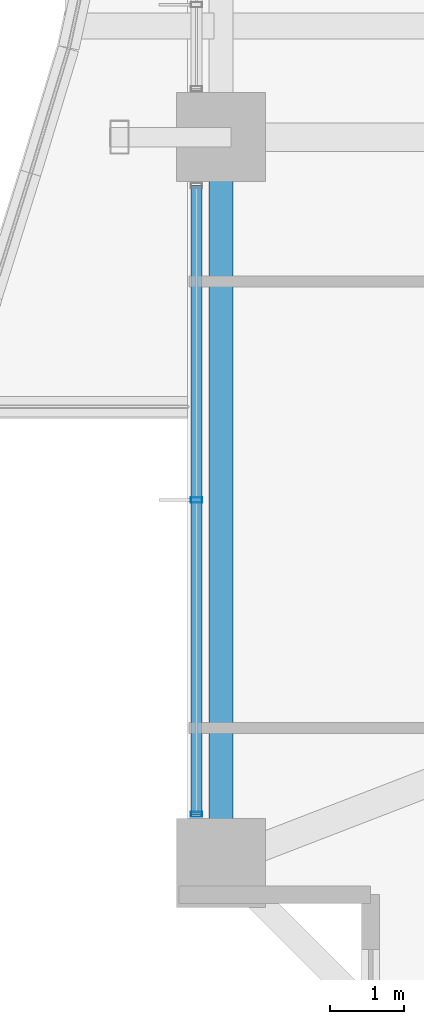
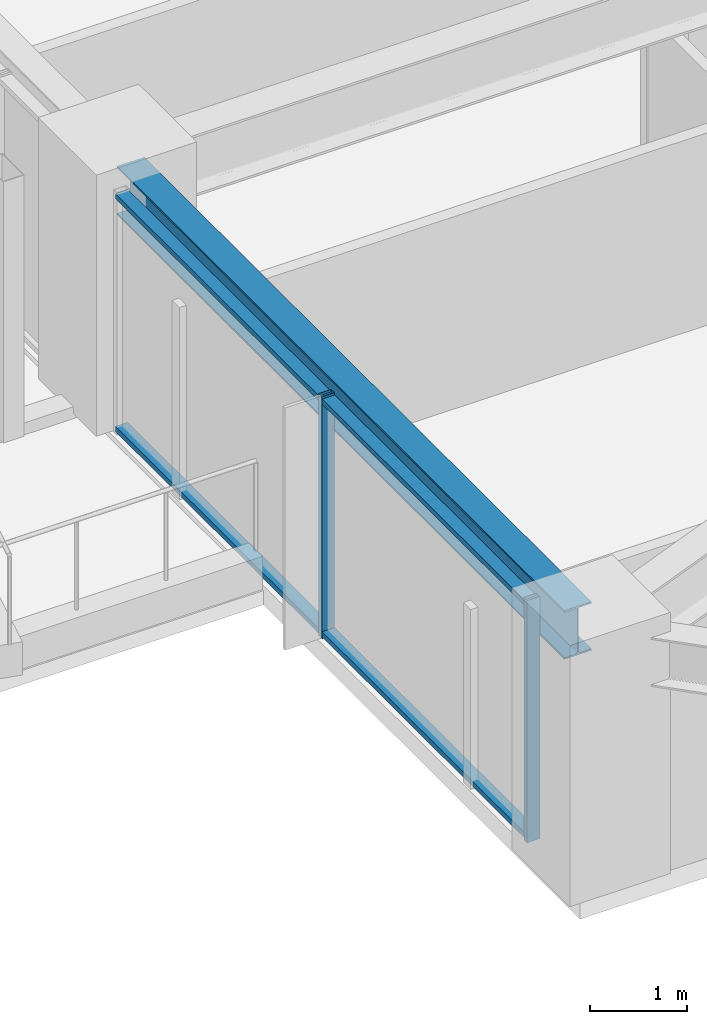
# One storey, part 3 of 36: 4 members, 1 beam, 1 element without a shape of its own.
"""IFC4 building model written with IfcOpenShell, lengths in metres."""

from ifc_helpers import new_model, si_unit, direction, frame, origin, origin_2d, place, context, subcontext, project, spatial, hollow_rectangle, i_section, extrude, material, material_profile, profile_set, type_object, element, aggregate, save


model = new_model("IFC4")

# Units and contexts
model_context = context("Model", 3, precision=1e-05, world=origin(), true_north=direction((0.0, 1.0)))
body_context = subcontext(model_context, "Body", "Model", "MODEL_VIEW")
ifc_project = project(units=[si_unit("LENGTHUNIT", "METRE"), si_unit("AREAUNIT", "SQUARE_METRE"), si_unit("VOLUMEUNIT", "CUBIC_METRE"), si_unit("PLANEANGLEUNIT", "RADIAN"), si_unit("MASSUNIT", "GRAM", prefix="KILO")], contexts=[model_context])

# Site, building, storey
site_placement = place(None, origin())
site = spatial("IfcSite", under=ifc_project, at=site_placement, CompositionType="ELEMENT")
building_placement = place(site_placement, origin())
building = spatial("IfcBuilding", under=site, at=building_placement, Name="Kolvaren Belvedere", CompositionType="ELEMENT")
storey_placement = place(building_placement, frame((0.0, 0.0, 46.89990234375)))
storey = spatial("IfcBuildingStorey", under=building, at=storey_placement, Name="L13", CompositionType="ELEMENT", Elevation=46.89990234375)

# Beam
ifc_material_1 = material(Name="Structural steel ASTM A992 Grade 50", Category="steel")
ifc_material_profile_1 = material_profile(ifc_material_1, i_section(OverallWidth=0.324951171875, OverallDepth=0.615966796875, WebThickness=0.013916015625, FlangeThickness=0.021484375, FilletRadius=0.02001953125, at=origin_2d()), Name="W24X117")
ifc_profile_set_1 = profile_set([ifc_material_profile_1], Name="Structural steel ASTM A992 Grade 50")
beam_type = type_object("IfcBeamType", Name="BM-SPAN-W24X117", PredefinedType="SPANDREL", material=ifc_profile_set_1)
beam_placement = place(storey_placement, frame((-21.550048828125, -4.8701171875, 2.752197265625), z_axis=(0.0, -1.0, 0.0), x_axis=(1.0, 0.0, 0.0)))
element("IfcBeam", 1, at=beam_placement, inside=storey, type_object=beam_type, Name="L13 Perimeter Spandrel W2-W1", PredefinedType="SPANDREL", context=body_context, shape_type="SweptSolid", body=[
    extrude(i_section(OverallWidth=0.324951171875, OverallDepth=0.615966796875, WebThickness=0.013916015625, FlangeThickness=0.021484375, FilletRadius=0.02001953125, at=origin_2d()), origin(), (0.0, 0.0, 1.0), 9.259765625),
])

# Curtain wall, members
ifc_material_2 = material(Name="Anodised pale-metal aluminium AA 6063-T6", Category="aluminium")
curtain_wall_type = type_object("IfcCurtainWallType", Name="CW-Z1-LOW", PredefinedType="NOTDEFINED", material=ifc_material_2)
curtain_wall_placement = place(storey_placement, origin())
curtain_wall = element("IfcCurtainWall", 2, at=curtain_wall_placement, inside=storey, type_object=curtain_wall_type, Name="L13 Unitised Curtain Wall FCW-L13-W1-B1", PredefinedType="NOTDEFINED")
ifc_material_3 = material(Name="Anodised pale-metal aluminium AA 6063-T6", Category="aluminium")
ifc_material_profile_2 = material_profile(ifc_material_3, hollow_rectangle(XDim=0.070068359375, YDim=0.14990234375, WallThickness=0.004150390625, at=origin_2d()), Name="ALU-MUL-150X70")
ifc_profile_set_2 = profile_set([ifc_material_profile_2], Name="Anodised pale-metal aluminium AA 6063-T6")
member_type_1 = type_object("IfcMemberType", Name="CW-MUL-150", PredefinedType="MULLION", material=ifc_profile_set_2)
member_1_placement = place(storey_placement, frame((-21.8798828125, -13.7451171875, 0.0), z_axis=(0.0, 0.0, 1.0), x_axis=(0.0, 1.0, 0.0)))
member_1 = element("IfcMember", 3, at=member_1_placement, type_object=member_type_1, Name="FCW-L13-W1-B1 Unitised Mullion 1", PredefinedType="MULLION", context=body_context, shape_type="SweptSolid", body=[
    extrude(hollow_rectangle(XDim=0.070068359375, YDim=0.14990234375, WallThickness=0.004150390625, at=origin_2d()), origin(), (0.0, 0.0, 1.0), 3.06005859375),
])
member_2_placement = place(storey_placement, frame((-21.8798828125, -9.5, 0.0), z_axis=(0.0, 0.0, 1.0), x_axis=(0.0, 1.0, 0.0)))
member_2 = element("IfcMember", 4, at=member_2_placement, type_object=member_type_1, Name="FCW-L13-W1-B1 Unitised Mullion 2", PredefinedType="MULLION", context=body_context, shape_type="SweptSolid", body=[
    extrude(hollow_rectangle(XDim=0.070068359375, YDim=0.14990234375, WallThickness=0.004150390625, at=origin_2d()), origin(), (0.0, 0.0, 1.0), 3.06005859375),
])
ifc_material_4 = material(Name="Anodised pale-metal aluminium AA 6063-T6", Category="aluminium")
ifc_material_profile_3 = material_profile(ifc_material_4, hollow_rectangle(XDim=0.06494140625, YDim=0.14990234375, WallThickness=0.00390625, at=origin_2d()), Name="ALU-TRN-150X65")
ifc_profile_set_3 = profile_set([ifc_material_profile_3], Name="Anodised pale-metal aluminium AA 6063-T6")
member_type_2 = type_object("IfcMemberType", Name="CW-TRN-150", PredefinedType="USERDEFINED", material=ifc_profile_set_3)
member_3_placement = place(storey_placement, frame((-21.8798828125, -13.7451171875, 0.06005859375), z_axis=(0.0, 1.0, 0.0), x_axis=(0.0, 0.0, 1.0)))
member_3 = element("IfcMember", 5, at=member_3_placement, type_object=member_type_2, Name="FCW-L13-W1-B1 Sill Transom", ObjectType="TRANSOM", PredefinedType="USERDEFINED", context=body_context, shape_type="SweptSolid", body=[
    extrude(hollow_rectangle(XDim=0.06494140625, YDim=0.14990234375, WallThickness=0.00390625, at=origin_2d()), origin(), (0.0, 0.0, 1.0), 8.490234375),
])
member_4_placement = place(storey_placement, frame((-21.8798828125, -13.7451171875, 3.0), z_axis=(0.0, 1.0, 0.0), x_axis=(0.0, 0.0, 1.0)))
member_4 = element("IfcMember", 6, at=member_4_placement, type_object=member_type_2, Name="FCW-L13-W1-B1 Head Transom", ObjectType="TRANSOM", PredefinedType="USERDEFINED", context=body_context, shape_type="SweptSolid", body=[
    extrude(hollow_rectangle(XDim=0.06494140625, YDim=0.14990234375, WallThickness=0.00390625, at=origin_2d()), origin(), (0.0, 0.0, 1.0), 8.490234375),
])
aggregate(curtain_wall, [member_1, member_2, member_3, member_4])

save(model, "model.ifc")
